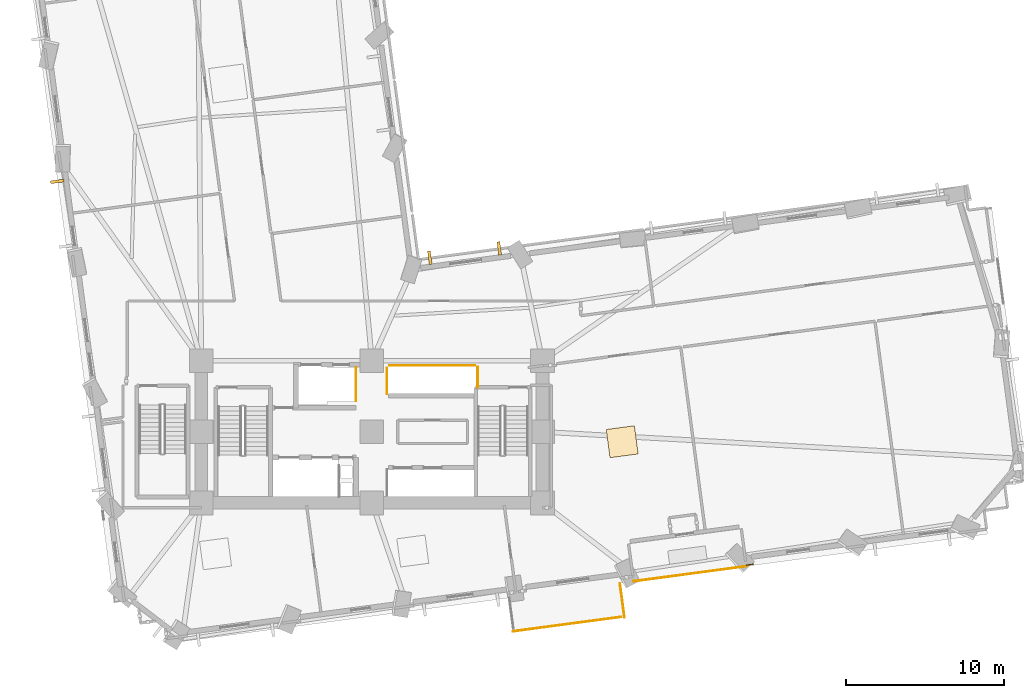
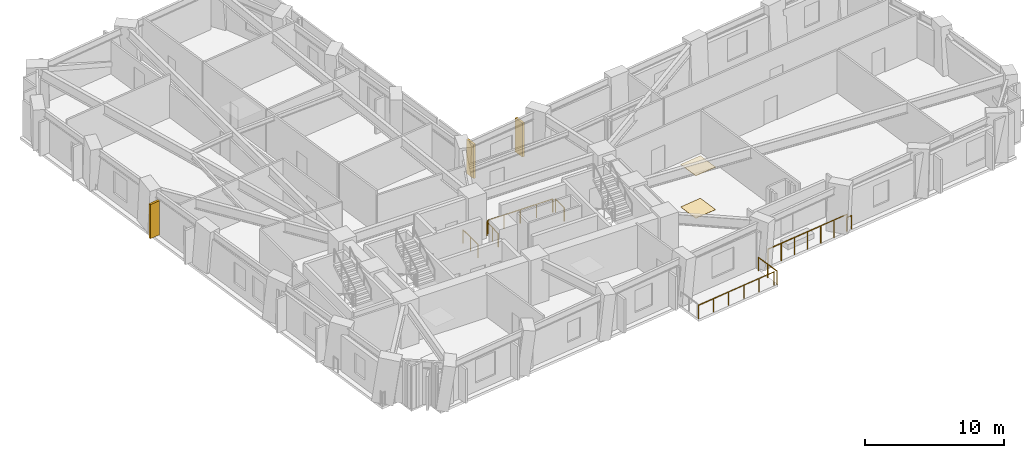
# One storey, part 12 of 14: 8 railings, 3 shading devices, 2 coverings.
"""IFC4 building model written with IfcOpenShell, lengths in metres."""

from ifc_helpers import new_model, si_unit, direction, frame, origin, origin_2d, place, context, subcontext, project, spatial, rectangle, circle, extrude, material, layer, layer_set, type_object, element, save


model = new_model("IFC4")

# Units and contexts
model_context = context("Model", 3, precision=1e-05, world=origin(), true_north=direction((0.0, 1.0)))
body_context = subcontext(model_context, "Body", "Model", "MODEL_VIEW")
ifc_project = project(units=[si_unit("LENGTHUNIT", "METRE"), si_unit("AREAUNIT", "SQUARE_METRE"), si_unit("VOLUMEUNIT", "CUBIC_METRE"), si_unit("PLANEANGLEUNIT", "RADIAN"), si_unit("MASSUNIT", "GRAM", prefix="KILO")], contexts=[model_context])

# Site, building, storey
site_placement = place(None, origin())
site = spatial("IfcSite", under=ifc_project, at=site_placement, CompositionType="ELEMENT")
building_placement = place(site_placement, origin())
building = spatial("IfcBuilding", under=site, at=building_placement, Name="Gaonmaruhae Medical Tower", CompositionType="ELEMENT")
storey_placement = place(building_placement, frame((0.0, 0.0, 55.0)))
storey = spatial("IfcBuildingStorey", under=building, at=storey_placement, Name="L12", CompositionType="ELEMENT", Elevation=55.0)

# Coverings
ifc_material_1 = material(Name="Acoustic mineral ceiling tile", Category="finish")
ifc_layer_1 = layer(ifc_material_1, 0.02490234375)
ifc_layer_set_1 = layer_set([ifc_layer_1], Name="Acoustic mineral ceiling tile")
covering_type_1 = type_object("IfcCoveringType", Name="CLG-01 Antimicrobial Acoustic Mineral Ceiling", PredefinedType="CEILING", material=ifc_layer_set_1)
covering_1_placement = place(storey_placement, frame((40.646484375, 11.673828125, 3.735107421875), z_axis=(0.0, 0.0, 1.0), x_axis=(0.991215540252, 0.132256390257, 0.0)))
element("IfcCovering", 1, at=covering_1_placement, inside=storey, type_object=covering_type_1, Name="L12 Clinical Room Acoustic Ceiling 4", PredefinedType="CEILING", context=body_context, shape_type="SweptSolid", body=[
    extrude(rectangle(XDim=1.800048828125, YDim=1.800048828125, at=origin_2d()), origin(), (0.0, 0.0, 1.0), 0.02490234375),
])
ifc_material_2 = material(Name="Seamless clinical vinyl flooring", Category="finish")
ifc_layer_2 = layer(ifc_material_2, 0.014892578125)
ifc_layer_set_2 = layer_set([ifc_layer_2], Name="Seamless clinical vinyl flooring")
covering_type_2 = type_object("IfcCoveringType", Name="FLR-01 Seamless Clinical Antistatic Vinyl Flooring", PredefinedType="FLOORING", material=ifc_layer_set_2)
covering_2_placement = place(storey_placement, frame((40.646484375, 11.673828125, 0.0), z_axis=(0.0, 0.0, 1.0), x_axis=(0.991215540252, 0.132256390257, 0.0)))
element("IfcCovering", 2, at=covering_2_placement, inside=storey, type_object=covering_type_2, Name="L12 Clinical Room Vinyl Flooring 4", PredefinedType="FLOORING", context=body_context, shape_type="SweptSolid", body=[
    extrude(rectangle(XDim=1.800048828125, YDim=1.800048828125, at=origin_2d()), origin(), (0.0, 0.0, 1.0), 0.014892578125),
])

# Railings
ifc_material_3 = material(Name="Stainless steel 316L and laminated safety glass", Category="steel")
ifc_layer_3 = layer(ifc_material_3, 0.080078125)
ifc_layer_set_3 = layer_set([ifc_layer_3], Name="Stainless steel 316L and laminated safety glass")
railing_type_1 = type_object("IfcRailingType", Name="GD-120 Outdoor Terrace Safety Glass & Steel Balustrade", PredefinedType="BALUSTRADE", material=ifc_layer_set_3)
railing_1_placement = place(storey_placement, frame((48.92724609375, 3.913818359375, 0.0)))
element("IfcRailing", 3, at=railing_1_placement, inside=storey, type_object=railing_type_1, Name="L12 Perimeter Slab Edge Safety Balustrade 07", PredefinedType="BALUSTRADE", context=body_context, shape_type="SweptSolid", body=[
    extrude(circle(Radius=0.02392578125, at=origin_2d()), frame((0.0, 0.0, 1.17578125), z_axis=(-0.991181957851, -0.132507835355, 0.0), x_axis=(0.132507835355, -0.991181957851, 0.0)), (0.0, 0.0, 1.0), 0.418212890625),
    extrude(circle(Radius=0.02099609375, at=origin_2d()), origin(), (0.0, 0.0, 1.0), 1.15185546875),
    extrude(circle(Radius=0.02099609375, at=origin_2d()), frame((-0.41455078125, -0.055419921875, 0.0)), (0.0, 0.0, 1.0), 1.15185546875),
])
railing_2_placement = place(storey_placement, frame((40.505615234375, 2.69921875, 0.0)))
element("IfcRailing", 4, at=railing_2_placement, inside=storey, type_object=railing_type_1, Name="L12 Perimeter Slab Edge Safety Balustrade 08", PredefinedType="BALUSTRADE", context=body_context, shape_type="SweptSolid", body=[
    extrude(circle(Radius=0.02392578125, at=origin_2d()), frame((0.0, 0.0, 1.17578125), z_axis=(0.132237752727, -0.991218026851, 0.0), x_axis=(0.991218026851, 0.132237752727, 0.0)), (0.0, 0.0, 1.0), 2.16015625),
    extrude(circle(Radius=0.02099609375, at=origin_2d()), origin(), (0.0, 0.0, 1.0), 1.15185546875),
    extrude(circle(Radius=0.02099609375, at=origin_2d()), frame((0.142822265625, -1.070556640625, 0.0)), (0.0, 0.0, 1.0), 1.15185546875),
    extrude(circle(Radius=0.02099609375, at=origin_2d()), frame((0.28564453125, -2.14111328125, 0.0)), (0.0, 0.0, 1.0), 1.15185546875),
])
railing_3_placement = place(storey_placement, frame((40.576416015625, 0.580078125, 0.0)))
element("IfcRailing", 5, at=railing_3_placement, inside=storey, type_object=railing_type_1, Name="L12 Perimeter Slab Edge Safety Balustrade 09", PredefinedType="BALUSTRADE", context=body_context, shape_type="SweptSolid", body=[
    extrude(circle(Radius=0.02392578125, at=origin_2d()), frame((0.0, 0.0, 1.17578125), z_axis=(-0.99120965849, -0.132300464538, 0.0), x_axis=(0.132300464538, -0.99120965849, 0.0)), (0.0, 0.0, 1.0), 6.899658203125),
    extrude(circle(Radius=0.02099609375, at=origin_2d()), origin(), (0.0, 0.0, 1.0), 1.15185546875),
    extrude(circle(Radius=0.02099609375, at=origin_2d()), frame((-1.367919921875, -0.1826171875, 0.0)), (0.0, 0.0, 1.0), 1.15185546875),
    extrude(circle(Radius=0.02099609375, at=origin_2d()), frame((-2.735595703125, -0.365234375, 0.0)), (0.0, 0.0, 1.0), 1.15185546875),
    extrude(circle(Radius=0.02099609375, at=origin_2d()), frame((-4.103515625, -0.547607421875, 0.0)), (0.0, 0.0, 1.0), 1.15185546875),
    extrude(circle(Radius=0.02099609375, at=origin_2d()), frame((-5.47119140625, -0.730224609375, 0.0)), (0.0, 0.0, 1.0), 1.15185546875),
    extrude(circle(Radius=0.02099609375, at=origin_2d()), frame((-6.839111328125, -0.912841796875, 0.0)), (0.0, 0.0, 1.0), 1.15185546875),
])
ifc_layer_4 = layer(ifc_material_3, 0.080078125)
ifc_layer_set_4 = layer_set([ifc_layer_4], Name="Stainless steel 316L and laminated safety glass")
railing_type_2 = type_object("IfcRailingType", Name="GD-155 Planter-Edge Raised Safety Balustrade", PredefinedType="BALUSTRADE", material=ifc_layer_set_4)
railing_4_placement = place(storey_placement, frame((41.365478515625, 2.833984375, 0.0)))
element("IfcRailing", 6, at=railing_4_placement, inside=storey, type_object=railing_type_2, Name="L12 Terrace Safety Guard RL-SLB-L12-TER-01", PredefinedType="BALUSTRADE", context=body_context, shape_type="SweptSolid", body=[
    extrude(circle(Radius=0.02392578125, at=origin_2d()), frame((0.0, 0.0, 1.52587890625), z_axis=(0.991212790868, 0.132276994293, 0.0), x_axis=(-0.132276994293, 0.991212790868, 0.0)), (0.0, 0.0, 1.0), 7.199951171875),
    extrude(circle(Radius=0.02099609375, at=origin_2d()), origin(), (0.0, 0.0, 1.0), 1.501953125),
    extrude(circle(Radius=0.02099609375, at=origin_2d()), frame((1.189453125, 0.15869140625, 0.0)), (0.0, 0.0, 1.0), 1.501953125),
    extrude(circle(Radius=0.02099609375, at=origin_2d()), frame((2.37890625, 0.3173828125, 0.0)), (0.0, 0.0, 1.0), 1.501953125),
    extrude(circle(Radius=0.02099609375, at=origin_2d()), frame((3.568359375, 0.47607421875, 0.0)), (0.0, 0.0, 1.0), 1.501953125),
    extrude(circle(Radius=0.02099609375, at=origin_2d()), frame((4.7578125, 0.635009765625, 0.0)), (0.0, 0.0, 1.0), 1.501953125),
    extrude(circle(Radius=0.02099609375, at=origin_2d()), frame((5.947265625, 0.793701171875, 0.0)), (0.0, 0.0, 1.0), 1.501953125),
    extrude(circle(Radius=0.02099609375, at=origin_2d()), frame((7.13671875, 0.952392578125, 0.0)), (0.0, 0.0, 1.0), 1.501953125),
])

# Shading devices
ifc_material_4 = material(Name="Pigmented coral precast concrete C45/55", Category="concrete")
shading_device_type = type_object("IfcShadingDeviceType", Name="SD-FIN1 Tower Vertical Coral Precast Shading Fin", PredefinedType="USERDEFINED", material=ifc_material_4)
for number, where, z_axis, x_axis, name in (
    (7, (28.46728515625, 23.3232421875, 0.08251953125), (0.0, 0.0, 1.0), (0.991215540252, 0.132256390257, 0.0), "L12 Vertical Coral Precast Shading Fin EN04"),
    (8, (32.864501953125, 23.909912109375, 0.08251953125), (0.0, 0.0, 1.0), (0.991215540252, 0.132256390257, 0.0), "L12 Vertical Coral Precast Shading Fin EN04B"),
    (9, (4.8896484375, 28.150390625, 0.08251953125), (0.0, 0.0, 1.0), (-0.132256390257, 0.991215540252, 0.0), "L12 Vertical Coral Precast Shading Fin W03B"),
):
    element("IfcShadingDevice", number, at=place(storey_placement, frame(where, z_axis=z_axis, x_axis=x_axis)), inside=storey, type_object=shading_device_type, Name=name, ObjectType="FIN", PredefinedType="USERDEFINED", context=body_context, shape_type="SweptSolid", body=[
        extrude(rectangle(XDim=0.179931640625, YDim=0.85009765625, at=origin_2d()), origin(), (0.0, 0.0, 1.0), 3.0),
    ])

# Railings
ifc_material_5 = material(Name="Stainless steel 304 balustrade", Category="steel")
railing_type_3 = type_object("IfcRailingType", Name="SG-112 Stair Well & Ramp Void Safety Balustrade", PredefinedType="BALUSTRADE", material=ifc_material_5)
railing_5_placement = place(storey_placement, frame((23.794921875, 16.35498046875, 0.0)))
element("IfcRailing", 10, at=railing_5_placement, inside=storey, type_object=railing_type_3, Name="L12 Shaft Edge Safety Guard 14", PredefinedType="BALUSTRADE", context=body_context, shape_type="SweptSolid", body=[
    extrude(circle(Radius=0.02392578125, at=origin_2d()), frame((0.0, 0.0, 1.17578125), z_axis=(0.0, -1.0, 0.0), x_axis=(1.0, 0.0, 0.0)), (0.0, 0.0, 1.0), 2.10986328125),
    extrude(circle(Radius=0.02099609375, at=origin_2d()), origin(), (0.0, 0.0, 1.0), 1.15185546875),
    extrude(circle(Radius=0.02099609375, at=origin_2d()), frame((0.0, -1.054931640625, 0.0)), (0.0, 0.0, 1.0), 1.15185546875),
    extrude(circle(Radius=0.02099609375, at=origin_2d()), frame((0.0, -2.10986328125, 0.0)), (0.0, 0.0, 1.0), 1.15185546875),
])
railing_6_placement = place(storey_placement, frame((31.4951171875, 16.405029296875, 0.0)))
element("IfcRailing", 11, at=railing_6_placement, inside=storey, type_object=railing_type_3, Name="L12 Shaft Edge Safety Guard 15", PredefinedType="BALUSTRADE", context=body_context, shape_type="SweptSolid", body=[
    extrude(circle(Radius=0.02392578125, at=origin_2d()), frame((0.0, 0.0, 1.17578125), z_axis=(0.0, -1.0, 0.0), x_axis=(1.0, 0.0, 0.0)), (0.0, 0.0, 1.0), 1.284912109375),
    extrude(circle(Radius=0.02099609375, at=origin_2d()), origin(), (0.0, 0.0, 1.0), 1.15185546875),
    extrude(circle(Radius=0.02099609375, at=origin_2d()), frame((0.0, -1.284912109375, 0.0)), (0.0, 0.0, 1.0), 1.15185546875),
])
railing_7_placement = place(storey_placement, frame((25.7548828125, 14.695068359375, 0.0)))
element("IfcRailing", 12, at=railing_7_placement, inside=storey, type_object=railing_type_3, Name="L12 Shaft Edge Safety Guard 16", PredefinedType="BALUSTRADE", context=body_context, shape_type="SweptSolid", body=[
    extrude(circle(Radius=0.02392578125, at=origin_2d()), frame((0.0, 0.0, 1.17578125), z_axis=(0.0, 1.0, 0.0), x_axis=(-1.0, 0.0, 0.0)), (0.0, 0.0, 1.0), 1.635009765625),
    extrude(circle(Radius=0.02099609375, at=origin_2d()), origin(), (0.0, 0.0, 1.0), 1.15185546875),
    extrude(circle(Radius=0.02099609375, at=origin_2d()), frame((0.0, 0.8173828125, 0.0)), (0.0, 0.0, 1.0), 1.15185546875),
    extrude(circle(Radius=0.02099609375, at=origin_2d()), frame((0.0, 1.635009765625, 0.0)), (0.0, 0.0, 1.0), 1.15185546875),
])
railing_8_placement = place(storey_placement, frame((25.919921875, 16.4951171875, 0.0)))
element("IfcRailing", 13, at=railing_8_placement, inside=storey, type_object=railing_type_3, Name="L12 Shaft Edge Safety Guard 17", PredefinedType="BALUSTRADE", context=body_context, shape_type="SweptSolid", body=[
    extrude(circle(Radius=0.02392578125, at=origin_2d()), frame((0.0, 0.0, 1.17578125), z_axis=(1.0, 0.0, 0.0), x_axis=(0.0, 1.0, 0.0)), (0.0, 0.0, 1.0), 5.41015625),
    extrude(circle(Radius=0.02099609375, at=origin_2d()), origin(), (0.0, 0.0, 1.0), 1.15185546875),
    extrude(circle(Radius=0.02099609375, at=origin_2d()), frame((1.3525390625, 0.0, 0.0)), (0.0, 0.0, 1.0), 1.15185546875),
    extrude(circle(Radius=0.02099609375, at=origin_2d()), frame((2.705078125, 0.0, 0.0)), (0.0, 0.0, 1.0), 1.15185546875),
    extrude(circle(Radius=0.02099609375, at=origin_2d()), frame((4.0576171875, 0.0, 0.0)), (0.0, 0.0, 1.0), 1.15185546875),
    extrude(circle(Radius=0.02099609375, at=origin_2d()), frame((5.41015625, 0.0, 0.0)), (0.0, 0.0, 1.0), 1.15185546875),
])

save(model, "model.ifc")
